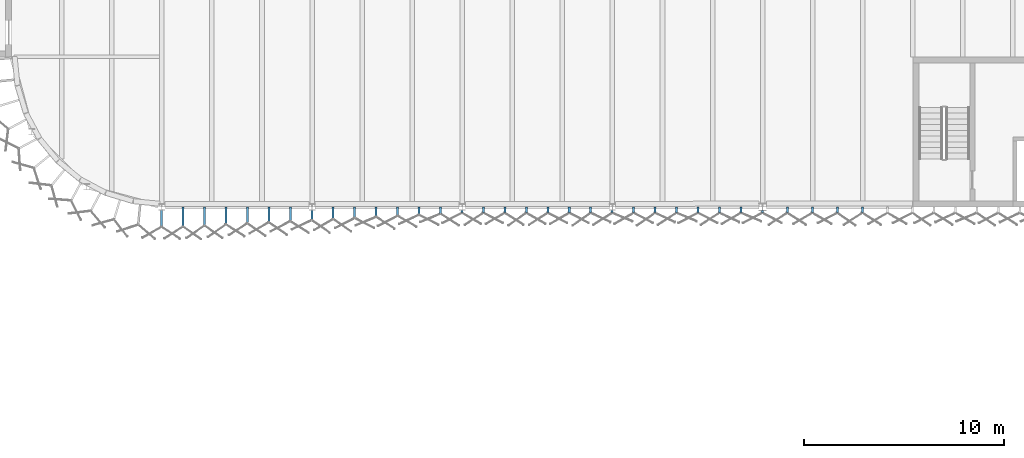
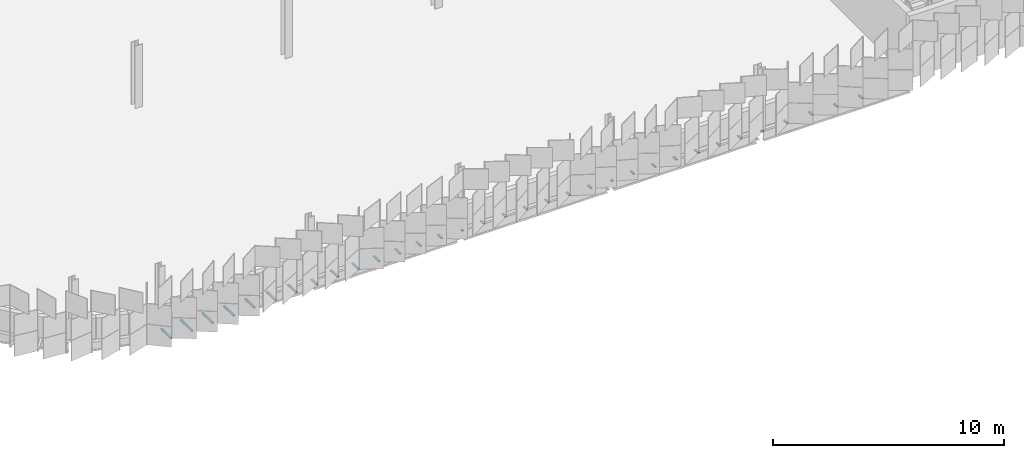
# One storey, part 164 of 198: 33 discrete accessories.
"""IFC4 building model written with IfcOpenShell, lengths in metres."""

from ifc_helpers import new_model, si_unit, direction, frame, origin, origin_2d, place, context, subcontext, project, spatial, rectangle, extrude, material, type_object, element, save


model = new_model("IFC4")

# Units and contexts
model_context = context("Model", 3, precision=1e-05, world=origin(), true_north=direction((0.0, 1.0)))
body_context = subcontext(model_context, "Body", "Model", "MODEL_VIEW")
ifc_project = project(units=[si_unit("LENGTHUNIT", "METRE"), si_unit("AREAUNIT", "SQUARE_METRE"), si_unit("VOLUMEUNIT", "CUBIC_METRE"), si_unit("PLANEANGLEUNIT", "RADIAN"), si_unit("MASSUNIT", "GRAM", prefix="KILO")], contexts=[model_context])

# Site, building, storey
site_placement = place(None, origin())
site = spatial("IfcSite", under=ifc_project, at=site_placement, CompositionType="ELEMENT")
building_placement = place(site_placement, origin())
building = spatial("IfcBuilding", under=site, at=building_placement, Name="Parallax Yard Mobility Hub", CompositionType="ELEMENT")
storey_placement = place(building_placement, frame((0.0, 0.0, 6.60009765625)))
storey = spatial("IfcBuildingStorey", under=building, at=storey_placement, Name="L02", CompositionType="ELEMENT", Elevation=6.60009765625)

# Discrete accessories
ifc_material = material(Name="Steel ASTM A36, hot-dip galvanised", Category="steel")
discrete_accessory_type = type_object("IfcDiscreteAccessoryType", Name="Hinge bracket plate 100x50", PredefinedType="BRACKET", material=ifc_material)
discrete_accessory_1_placement = place(storey_placement, frame((29.9853515625, 111.928955078125, -0.02490234375), z_axis=(0.0, 0.0, 1.0), x_axis=(0.0, -1.0, 0.0)))
element("IfcDiscreteAccessory", 1, at=discrete_accessory_1_placement, inside=storey, type_object=discrete_accessory_type, Name="Hinge bracket plate bay 1.1 level L02", PredefinedType="BRACKET", context=body_context, shape_type="SweptSolid", body=[
    extrude(rectangle(XDim=0.8251953125, YDim=0.10009765625, at=origin_2d()), origin(), (0.0, 0.0, 1.0), 0.050048828125),
])
discrete_accessory_2_placement = place(storey_placement, frame((31.056884765625, 112.0166015625, -0.02490234375), z_axis=(0.0, 0.0, 1.0), x_axis=(0.0, -1.0, 0.0)))
element("IfcDiscreteAccessory", 2, at=discrete_accessory_2_placement, inside=storey, type_object=discrete_accessory_type, Name="Hinge bracket plate bay 1.2 level L02", PredefinedType="BRACKET", context=body_context, shape_type="SweptSolid", body=[
    extrude(rectangle(XDim=0.968017578125, YDim=0.10009765625, at=origin_2d()), origin(), (0.0, 0.0, 1.0), 0.050048828125),
])
discrete_accessory_3_placement = place(storey_placement, frame((32.12841796875, 112.043212890625, -0.02490234375), z_axis=(0.0, 0.0, 1.0), x_axis=(0.0, -1.0, 0.0)))
element("IfcDiscreteAccessory", 3, at=discrete_accessory_3_placement, inside=storey, type_object=discrete_accessory_type, Name="Hinge bracket plate bay 1.3 level L02", PredefinedType="BRACKET", context=body_context, shape_type="SweptSolid", body=[
    extrude(rectangle(XDim=0.91455078125, YDim=0.10009765625, at=origin_2d()), origin(), (0.0, 0.0, 1.0), 0.050048828125),
])
discrete_accessory_4_placement = place(storey_placement, frame((33.19970703125, 112.070068359375, -0.02490234375), z_axis=(0.0, 0.0, 1.0), x_axis=(0.0, -1.0, 0.0)))
element("IfcDiscreteAccessory", 4, at=discrete_accessory_4_placement, inside=storey, type_object=discrete_accessory_type, Name="Hinge bracket plate bay 1.4 level L02", PredefinedType="BRACKET", context=body_context, shape_type="SweptSolid", body=[
    extrude(rectangle(XDim=0.86083984375, YDim=0.10009765625, at=origin_2d()), origin(), (0.0, 0.0, 1.0), 0.050048828125),
])
discrete_accessory_5_placement = place(storey_placement, frame((34.271240234375, 112.0966796875, -0.02490234375), z_axis=(0.0, 0.0, 1.0), x_axis=(0.0, -1.0, 0.0)))
element("IfcDiscreteAccessory", 5, at=discrete_accessory_5_placement, inside=storey, type_object=discrete_accessory_type, Name="Hinge bracket plate bay 1.5 level L02", PredefinedType="BRACKET", context=body_context, shape_type="SweptSolid", body=[
    extrude(rectangle(XDim=0.807373046875, YDim=0.10009765625, at=origin_2d()), origin(), (0.0, 0.0, 1.0), 0.050048828125),
])
discrete_accessory_6_placement = place(storey_placement, frame((35.3427734375, 112.12353515625, -0.02490234375), z_axis=(0.0, 0.0, 1.0), x_axis=(0.0, -1.0, 0.0)))
element("IfcDiscreteAccessory", 6, at=discrete_accessory_6_placement, inside=storey, type_object=discrete_accessory_type, Name="Hinge bracket plate bay 1.6 level L02", PredefinedType="BRACKET", context=body_context, shape_type="SweptSolid", body=[
    extrude(rectangle(XDim=0.75390625, YDim=0.10009765625, at=origin_2d()), origin(), (0.0, 0.0, 1.0), 0.050048828125),
])
discrete_accessory_7_placement = place(storey_placement, frame((36.414306640625, 112.150390625, -0.02490234375), z_axis=(0.0, 0.0, 1.0), x_axis=(0.0, -1.0, 0.0)))
element("IfcDiscreteAccessory", 7, at=discrete_accessory_7_placement, inside=storey, type_object=discrete_accessory_type, Name="Hinge bracket plate bay 1.7 level L02", PredefinedType="BRACKET", context=body_context, shape_type="SweptSolid", body=[
    extrude(rectangle(XDim=0.7001953125, YDim=0.10009765625, at=origin_2d()), origin(), (0.0, 0.0, 1.0), 0.050048828125),
])
discrete_accessory_8_placement = place(storey_placement, frame((37.48583984375, 112.100341796875, -0.02490234375), z_axis=(0.0, 0.0, 1.0), x_axis=(0.0, -1.0, 0.0)))
element("IfcDiscreteAccessory", 8, at=discrete_accessory_8_placement, inside=storey, type_object=discrete_accessory_type, Name="Hinge bracket plate bay 2.1 level L02", PredefinedType="BRACKET", context=body_context, shape_type="SweptSolid", body=[
    extrude(rectangle(XDim=0.4931640625, YDim=0.10009765625, at=origin_2d()), origin(), (0.0, 0.0, 1.0), 0.050048828125),
])
discrete_accessory_9_placement = place(storey_placement, frame((38.557373046875, 112.2041015625, -0.02490234375), z_axis=(0.0, 0.0, 1.0), x_axis=(0.0, -1.0, 0.0)))
element("IfcDiscreteAccessory", 9, at=discrete_accessory_9_placement, inside=storey, type_object=discrete_accessory_type, Name="Hinge bracket plate bay 2.2 level L02", PredefinedType="BRACKET", context=body_context, shape_type="SweptSolid", body=[
    extrude(rectangle(XDim=0.593017578125, YDim=0.10009765625, at=origin_2d()), origin(), (0.0, 0.0, 1.0), 0.050048828125),
])
discrete_accessory_10_placement = place(storey_placement, frame((39.62890625, 112.230712890625, -0.02490234375), z_axis=(0.0, 0.0, 1.0), x_axis=(0.0, -1.0, 0.0)))
element("IfcDiscreteAccessory", 10, at=discrete_accessory_10_placement, inside=storey, type_object=discrete_accessory_type, Name="Hinge bracket plate bay 2.3 level L02", PredefinedType="BRACKET", context=body_context, shape_type="SweptSolid", body=[
    extrude(rectangle(XDim=0.53955078125, YDim=0.10009765625, at=origin_2d()), origin(), (0.0, 0.0, 1.0), 0.050048828125),
])
discrete_accessory_11_placement = place(storey_placement, frame((40.7001953125, 112.257568359375, -0.02490234375), z_axis=(0.0, 0.0, 1.0), x_axis=(0.0, -1.0, 0.0)))
element("IfcDiscreteAccessory", 11, at=discrete_accessory_11_placement, inside=storey, type_object=discrete_accessory_type, Name="Hinge bracket plate bay 2.4 level L02", PredefinedType="BRACKET", context=body_context, shape_type="SweptSolid", body=[
    extrude(rectangle(XDim=0.48583984375, YDim=0.10009765625, at=origin_2d()), origin(), (0.0, 0.0, 1.0), 0.050048828125),
])
discrete_accessory_12_placement = place(storey_placement, frame((41.771728515625, 112.2841796875, -0.02490234375), z_axis=(0.0, 0.0, 1.0), x_axis=(0.0, -1.0, 0.0)))
element("IfcDiscreteAccessory", 12, at=discrete_accessory_12_placement, inside=storey, type_object=discrete_accessory_type, Name="Hinge bracket plate bay 2.5 level L02", PredefinedType="BRACKET", context=body_context, shape_type="SweptSolid", body=[
    extrude(rectangle(XDim=0.432373046875, YDim=0.10009765625, at=origin_2d()), origin(), (0.0, 0.0, 1.0), 0.050048828125),
])
discrete_accessory_13_placement = place(storey_placement, frame((42.84326171875, 112.31103515625, -0.02490234375), z_axis=(0.0, 0.0, 1.0), x_axis=(0.0, -1.0, 0.0)))
element("IfcDiscreteAccessory", 13, at=discrete_accessory_13_placement, inside=storey, type_object=discrete_accessory_type, Name="Hinge bracket plate bay 2.6 level L02", PredefinedType="BRACKET", context=body_context, shape_type="SweptSolid", body=[
    extrude(rectangle(XDim=0.37890625, YDim=0.10009765625, at=origin_2d()), origin(), (0.0, 0.0, 1.0), 0.050048828125),
])
discrete_accessory_14_placement = place(storey_placement, frame((43.914794921875, 112.337890625, -0.02490234375), z_axis=(0.0, 0.0, 1.0), x_axis=(0.0, -1.0, 0.0)))
element("IfcDiscreteAccessory", 14, at=discrete_accessory_14_placement, inside=storey, type_object=discrete_accessory_type, Name="Hinge bracket plate bay 2.7 level L02", PredefinedType="BRACKET", context=body_context, shape_type="SweptSolid", body=[
    extrude(rectangle(XDim=0.3251953125, YDim=0.10009765625, at=origin_2d()), origin(), (0.0, 0.0, 1.0), 0.050048828125),
])
discrete_accessory_15_placement = place(storey_placement, frame((44.986328125, 112.28173828125, -0.02490234375), z_axis=(0.0, 0.0, 1.0), x_axis=(0.0, -1.0, 0.0)))
element("IfcDiscreteAccessory", 15, at=discrete_accessory_15_placement, inside=storey, type_object=discrete_accessory_type, Name="Hinge bracket plate bay 3.1 level L02", PredefinedType="BRACKET", context=body_context, shape_type="SweptSolid", body=[
    extrude(rectangle(XDim=0.130615234375, YDim=0.10009765625, at=origin_2d()), origin(), (0.0, 0.0, 1.0), 0.050048828125),
])
for number, where, z_axis, x_axis, name in (
    (16, (46.057861328125, 112.3583984375, -0.02490234375), (0.0, 0.0, 1.0), (0.0, -1.0, 0.0), "Hinge bracket plate bay 3.2 level L02"),
    (17, (47.12939453125, 112.3583984375, -0.02490234375), (0.0, 0.0, 1.0), (0.0, -1.0, 0.0), "Hinge bracket plate bay 3.3 level L02"),
    (18, (48.20068359375, 112.3583984375, -0.02490234375), (0.0, 0.0, 1.0), (0.0, -1.0, 0.0), "Hinge bracket plate bay 3.4 level L02"),
    (19, (49.272216796875, 112.3583984375, -0.02490234375), (0.0, 0.0, 1.0), (0.0, -1.0, 0.0), "Hinge bracket plate bay 3.5 level L02"),
    (20, (50.34375, 112.3583984375, -0.02490234375), (0.0, 0.0, 1.0), (0.0, -1.0, 0.0), "Hinge bracket plate bay 3.6 level L02"),
    (21, (51.415283203125, 112.3583984375, -0.02490234375), (0.0, 0.0, 1.0), (0.0, -1.0, 0.0), "Hinge bracket plate bay 3.7 level L02"),
):
    element("IfcDiscreteAccessory", number, at=place(storey_placement, frame(where, z_axis=z_axis, x_axis=x_axis)), inside=storey, type_object=discrete_accessory_type, Name=name, PredefinedType="BRACKET", context=body_context, shape_type="SweptSolid", body=[
        extrude(rectangle(XDim=0.2841796875, YDim=0.10009765625, at=origin_2d()), origin(), (0.0, 0.0, 1.0), 0.050048828125),
    ])
discrete_accessory_16_placement = place(storey_placement, frame((52.48681640625, 112.28173828125, -0.02490234375), z_axis=(0.0, 0.0, 1.0), x_axis=(0.0, -1.0, 0.0)))
element("IfcDiscreteAccessory", 22, at=discrete_accessory_16_placement, inside=storey, type_object=discrete_accessory_type, Name="Hinge bracket plate bay 4.1 level L02", PredefinedType="BRACKET", context=body_context, shape_type="SweptSolid", body=[
    extrude(rectangle(XDim=0.130615234375, YDim=0.10009765625, at=origin_2d()), origin(), (0.0, 0.0, 1.0), 0.050048828125),
])
for number, where, z_axis, x_axis, name in (
    (23, (53.558349609375, 112.3583984375, -0.02490234375), (0.0, 0.0, 1.0), (0.0, -1.0, 0.0), "Hinge bracket plate bay 4.2 level L02"),
    (24, (54.6298828125, 112.3583984375, -0.02490234375), (0.0, 0.0, 1.0), (0.0, -1.0, 0.0), "Hinge bracket plate bay 4.3 level L02"),
    (25, (55.701416015625, 112.3583984375, -0.02490234375), (0.0, 0.0, 1.0), (0.0, -1.0, 0.0), "Hinge bracket plate bay 4.4 level L02"),
    (26, (56.772705078125, 112.3583984375, -0.02490234375), (0.0, 0.0, 1.0), (0.0, -1.0, 0.0), "Hinge bracket plate bay 4.5 level L02"),
    (27, (57.84423828125, 112.3583984375, -0.02490234375), (0.0, 0.0, 1.0), (0.0, -1.0, 0.0), "Hinge bracket plate bay 4.6 level L02"),
    (28, (58.915771484375, 112.3583984375, -0.02490234375), (0.0, 0.0, 1.0), (0.0, -1.0, 0.0), "Hinge bracket plate bay 4.7 level L02"),
):
    element("IfcDiscreteAccessory", number, at=place(storey_placement, frame(where, z_axis=z_axis, x_axis=x_axis)), inside=storey, type_object=discrete_accessory_type, Name=name, PredefinedType="BRACKET", context=body_context, shape_type="SweptSolid", body=[
        extrude(rectangle(XDim=0.2841796875, YDim=0.10009765625, at=origin_2d()), origin(), (0.0, 0.0, 1.0), 0.050048828125),
    ])
discrete_accessory_17_placement = place(storey_placement, frame((59.9873046875, 112.266357421875, -0.02490234375), z_axis=(0.0, 0.0, 1.0), x_axis=(0.0, -1.0, 0.0)))
element("IfcDiscreteAccessory", 29, at=discrete_accessory_17_placement, inside=storey, type_object=discrete_accessory_type, Name="Hinge bracket plate bay 5.1 level L02", PredefinedType="BRACKET", context=body_context, shape_type="SweptSolid", body=[
    extrude(rectangle(XDim=0.10009765625, YDim=0.10009765625, at=origin_2d()), origin(), (0.0, 0.0, 1.0), 0.050048828125),
])
for number, where, z_axis, x_axis, name in (
    (30, (61.236572265625, 112.3583984375, -0.02490234375), (0.0, 0.0, 1.0), (0.0, -1.0, 0.0), "Hinge bracket plate bay 5.2 level L02"),
    (31, (62.48583984375, 112.3583984375, -0.02490234375), (0.0, 0.0, 1.0), (0.0, -1.0, 0.0), "Hinge bracket plate bay 5.3 level L02"),
    (32, (63.735107421875, 112.3583984375, -0.02490234375), (0.0, 0.0, 1.0), (0.0, -1.0, 0.0), "Hinge bracket plate bay 5.4 level L02"),
    (33, (64.984375, 112.3583984375, -0.02490234375), (0.0, 0.0, 1.0), (0.0, -1.0, 0.0), "Hinge bracket plate bay 5.5 level L02"),
):
    element("IfcDiscreteAccessory", number, at=place(storey_placement, frame(where, z_axis=z_axis, x_axis=x_axis)), inside=storey, type_object=discrete_accessory_type, Name=name, PredefinedType="BRACKET", context=body_context, shape_type="SweptSolid", body=[
        extrude(rectangle(XDim=0.2841796875, YDim=0.10009765625, at=origin_2d()), origin(), (0.0, 0.0, 1.0), 0.050048828125),
    ])

save(model, "model.ifc")
